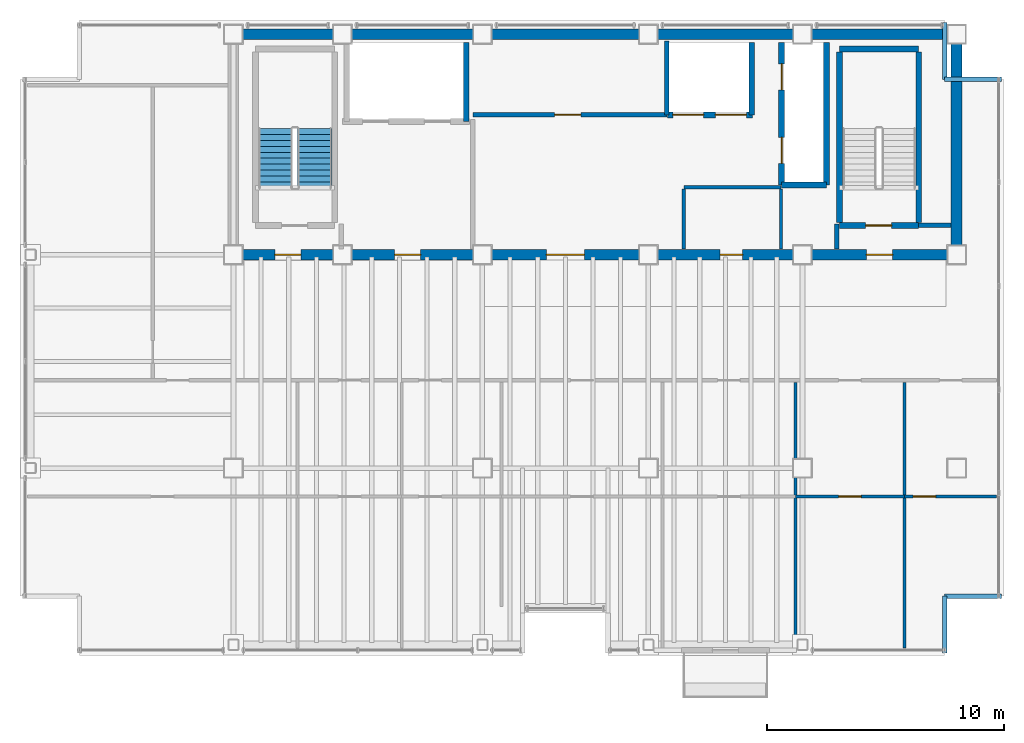
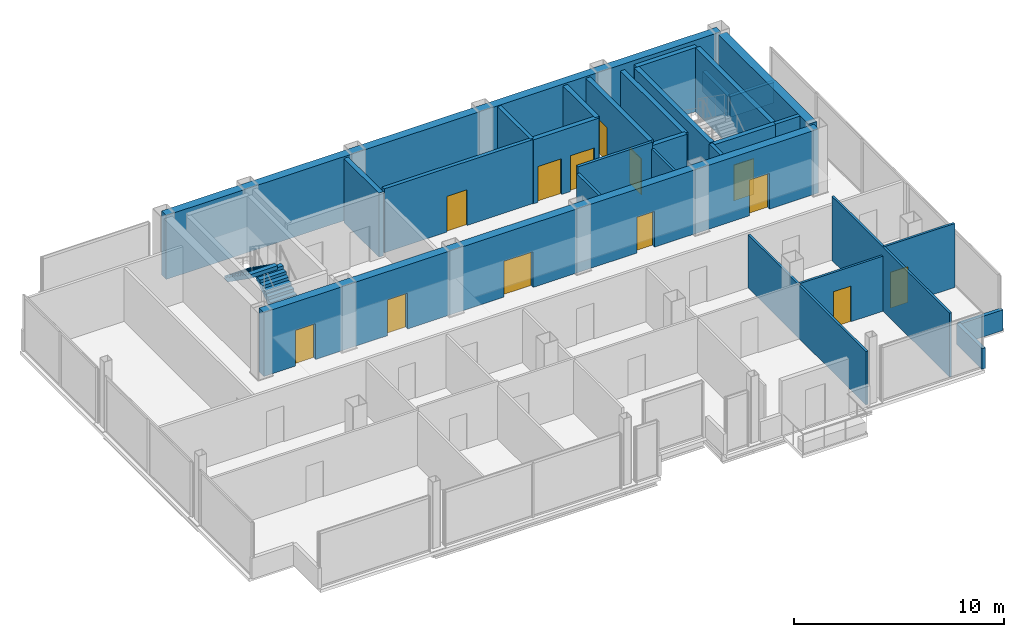
# One storey, part 15 of 17: 28 walls, 13 doors, 2 stair flights, 13 openings, 1 element without a shape of its own.
"""IFC4 building model written with IfcOpenShell, lengths in metres."""

from ifc_helpers import new_model, si_unit, direction, frame, frame_2d, origin, place, context, subcontext, project, spatial, polyline, rectangle, outline, extrude, material, layer, layer_set, type_object, element, fill, aggregate, save


model = new_model("IFC4")

# Units and contexts
model_context = context("Model", 3, precision=1e-05, world=origin(), true_north=direction((0.0, 1.0)))
body_context = subcontext(model_context, "Body", "Model", "MODEL_VIEW")
ifc_project = project(units=[si_unit("LENGTHUNIT", "METRE"), si_unit("AREAUNIT", "SQUARE_METRE"), si_unit("VOLUMEUNIT", "CUBIC_METRE"), si_unit("PLANEANGLEUNIT", "RADIAN"), si_unit("MASSUNIT", "GRAM", prefix="KILO")], contexts=[model_context])

# Site, building, storey
site_placement = place(None, origin())
site = spatial("IfcSite", under=ifc_project, at=site_placement, CompositionType="ELEMENT")
building_placement = place(site_placement, origin())
building = spatial("IfcBuilding", under=site, at=building_placement, Name="Noeulbin Bourse Tower", CompositionType="ELEMENT")
storey_placement = place(building_placement, frame((0.0, 0.0, 250.10009765625)))
storey = spatial("IfcBuildingStorey", under=building, at=storey_placement, Name="L62", CompositionType="ELEMENT", Elevation=250.10009765625)

# Wall, openings, doors
ifc_material_1 = material(Name="Concrete C50/60", Category="concrete")
ifc_layer_1 = layer(ifc_material_1, 0.449951171875)
ifc_layer_set_1 = layer_set([ifc_layer_1], Name="Concrete C50/60")
wall_type_1 = type_object("IfcWallType", Name="WAL-CORE-450", PredefinedType="SHEAR", material=ifc_layer_set_1)
wall_1_placement = place(storey_placement, frame((13.5, 29.0, 0.0), z_axis=(0.0, 0.0, 1.0), x_axis=(1.0, 0.0, 0.0)))
wall_1 = element("IfcWall", 1, at=wall_1_placement, inside=storey, type_object=wall_type_1, Name="Rear Core South Shear Wall L62", PredefinedType="SHEAR", context=body_context, shape_type="SweptSolid", body=[
    extrude(rectangle(XDim=30.5, YDim=0.449951171875, at=frame_2d((15.25, 0.0))), origin(), (0.0, 0.0, 1.0), 3.719970703125),
])
opening_1_placement = place(wall_1_placement, frame((1.75, 0.0, 0.0)))
opening_1 = element("IfcOpeningElement", 2, at=opening_1_placement, cuts=wall_1, Name="Opening FD-11", PredefinedType="OPENING", context=body_context, shape_type="SweptSolid", body=[
    extrude(rectangle(XDim=1.10009765625, YDim=2.080078125, at=frame_2d((0.550048828125, 1.0400390625))), frame((0.0, 0.23486328125, 0.0), z_axis=(0.0, -1.0, 0.0), x_axis=(1.0, 0.0, 0.0)), (0.0, 0.0, 1.0), 0.469970703125),
])
opening_2_placement = place(wall_1_placement, frame((26.699951171875, 0.0, 0.0)))
opening_2 = element("IfcOpeningElement", 3, at=opening_2_placement, cuts=wall_1, Name="Opening FD-11", PredefinedType="OPENING", context=body_context, shape_type="SweptSolid", body=[
    extrude(rectangle(XDim=1.10009765625, YDim=2.080078125, at=frame_2d((0.550048828125, 1.0400390625))), frame((0.0, 0.23486328125, 0.0), z_axis=(0.0, -1.0, 0.0), x_axis=(1.0, 0.0, 0.0)), (0.0, 0.0, 1.0), 0.469970703125),
])
opening_3_placement = place(wall_1_placement, frame((6.800048828125, 0.0, 0.0)))
opening_3 = element("IfcOpeningElement", 4, at=opening_3_placement, cuts=wall_1, Name="Opening FD-11", PredefinedType="OPENING", context=body_context, shape_type="SweptSolid", body=[
    extrude(rectangle(XDim=1.10009765625, YDim=2.080078125, at=frame_2d((0.550048828125, 1.0400390625))), frame((0.0, 0.23486328125, 0.0), z_axis=(0.0, -1.0, 0.0), x_axis=(1.0, 0.0, 0.0)), (0.0, 0.0, 1.0), 0.469970703125),
])
opening_4_placement = place(wall_1_placement, frame((13.199951171875, 0.0, 0.0)))
opening_4 = element("IfcOpeningElement", 5, at=opening_4_placement, cuts=wall_1, Name="Opening ID-16", PredefinedType="OPENING", context=body_context, shape_type="SweptSolid", body=[
    extrude(rectangle(XDim=1.60009765625, YDim=2.080078125, at=frame_2d((0.800048828125, 1.0400390625))), frame((0.0, 0.23486328125, 0.0), z_axis=(0.0, -1.0, 0.0), x_axis=(1.0, 0.0, 0.0)), (0.0, 0.0, 1.0), 0.469970703125),
])
opening_5_placement = place(wall_1_placement, frame((20.52490234375, 0.0, 0.0)))
opening_5 = element("IfcOpeningElement", 6, at=opening_5_placement, cuts=wall_1, Name="Opening ID-09", PredefinedType="OPENING", context=body_context, shape_type="SweptSolid", body=[
    extrude(rectangle(XDim=0.949951171875, YDim=2.080078125, at=frame_2d((0.47509765625, 1.0400390625))), frame((0.0, 0.23486328125, 0.0), z_axis=(0.0, -1.0, 0.0), x_axis=(1.0, 0.0, 0.0)), (0.0, 0.0, 1.0), 0.469970703125),
])
ifc_material_2 = material(Name="Acoustic Glazed Aluminium", Category="aluminium")
door_type_1 = type_object("IfcDoorType", Name="DR-DBL-1600", OperationType="DOUBLE_DOOR_SINGLE_SWING", PredefinedType="DOOR", material=ifc_material_2)
door_1_placement = place(opening_4_placement, origin())
door_1 = element("IfcDoor", 7, at=door_1_placement, inside=storey, type_object=door_type_1, Name="Passenger Lift Lobby Portal L62", OperationType="DOUBLE_DOOR_SINGLE_SWING", OverallHeight=2.080078125, OverallWidth=1.60009765625, PredefinedType="DOOR", context=body_context, shape_type="SweptSolid", body=[
    extrude(rectangle(XDim=1.60009765625, YDim=2.080078125, at=frame_2d((0.800048828125, 1.0400390625))), frame((0.0, 0.02490234375, 0.0), z_axis=(0.0, -1.0, 0.0), x_axis=(1.0, 0.0, 0.0)), (0.0, 0.0, 1.0), 0.050048828125),
])
fill(opening_4, door_1)
ifc_material_3 = material(Name="Fire-Rated Insulated Steel", Category="steel")
door_type_2 = type_object("IfcDoorType", Name="DR-FD60-1100", OperationType="SINGLE_SWING_LEFT", PredefinedType="DOOR", material=ifc_material_3)
door_2_placement = place(opening_1_placement, origin())
door_2 = element("IfcDoor", 8, at=door_2_placement, inside=storey, type_object=door_type_2, Name="West Stair Lobby Door L62", OperationType="SINGLE_SWING_LEFT", OverallHeight=2.080078125, OverallWidth=1.10009765625, PredefinedType="DOOR", context=body_context, shape_type="SweptSolid", body=[
    extrude(rectangle(XDim=1.10009765625, YDim=2.080078125, at=frame_2d((0.550048828125, 1.0400390625))), frame((0.0, 0.02490234375, 0.0), z_axis=(0.0, -1.0, 0.0), x_axis=(1.0, 0.0, 0.0)), (0.0, 0.0, 1.0), 0.050048828125),
])
fill(opening_1, door_2)
door_3_placement = place(opening_2_placement, origin())
door_3 = element("IfcDoor", 9, at=door_3_placement, inside=storey, type_object=door_type_2, Name="East Stair Lobby Door L62", OperationType="SINGLE_SWING_RIGHT", OverallHeight=2.080078125, OverallWidth=1.10009765625, PredefinedType="DOOR", context=body_context, shape_type="SweptSolid", body=[
    extrude(rectangle(XDim=1.10009765625, YDim=2.080078125, at=frame_2d((0.550048828125, 1.0400390625))), frame((0.0, 0.02490234375, 0.0), z_axis=(0.0, -1.0, 0.0), x_axis=(1.0, 0.0, 0.0)), (0.0, 0.0, 1.0), 0.050048828125),
])
fill(opening_2, door_3)
door_4_placement = place(opening_3_placement, origin())
door_4 = element("IfcDoor", 10, at=door_4_placement, inside=storey, type_object=door_type_2, Name="Firefighting Lobby Door L62", OperationType="SINGLE_SWING_LEFT", OverallHeight=2.080078125, OverallWidth=1.10009765625, PredefinedType="DOOR", context=body_context, shape_type="SweptSolid", body=[
    extrude(rectangle(XDim=1.10009765625, YDim=2.080078125, at=frame_2d((0.550048828125, 1.0400390625))), frame((0.0, 0.02490234375, 0.0), z_axis=(0.0, -1.0, 0.0), x_axis=(1.0, 0.0, 0.0)), (0.0, 0.0, 1.0), 0.050048828125),
])
fill(opening_3, door_4)
ifc_material_4 = material(Name="Acoustic Solid-Core Timber", Category="wood")
door_type_3 = type_object("IfcDoorType", Name="DR-SINGLE-950", OperationType="SINGLE_SWING_LEFT", PredefinedType="DOOR", material=ifc_material_4)
door_5_placement = place(opening_5_placement, origin())
door_5 = element("IfcDoor", 11, at=door_5_placement, inside=storey, type_object=door_type_3, Name="Interior Door L62-06", OperationType="SINGLE_SWING_RIGHT", OverallHeight=2.080078125, OverallWidth=0.949951171875, PredefinedType="DOOR", context=body_context, shape_type="SweptSolid", body=[
    extrude(rectangle(XDim=0.949951171875, YDim=2.080078125, at=frame_2d((0.47509765625, 1.0400390625))), frame((0.0, 0.02490234375, 0.0), z_axis=(0.0, -1.0, 0.0), x_axis=(1.0, 0.0, 0.0)), (0.0, 0.0, 1.0), 0.050048828125),
])
fill(opening_5, door_5)

# Walls
wall_2_placement = place(storey_placement, frame((13.5, 38.300048828125, 0.0), z_axis=(0.0, 0.0, 1.0), x_axis=(1.0, 0.0, 0.0)))
element("IfcWall", 12, at=wall_2_placement, inside=storey, type_object=wall_type_1, Name="Rear Core North Shear Wall L62", PredefinedType="SHEAR", context=body_context, shape_type="SweptSolid", body=[
    extrude(rectangle(XDim=30.5, YDim=0.449951171875, at=frame_2d((15.25, 0.0))), origin(), (0.0, 0.0, 1.0), 3.719970703125),
])
wall_3_placement = place(storey_placement, frame((44.0, 29.35009765625, 0.0), z_axis=(0.0, 0.0, 1.0), x_axis=(0.0, 1.0, 0.0)))
element("IfcWall", 13, at=wall_3_placement, inside=storey, type_object=wall_type_1, Name="Rear Core East Shear Wall L62", PredefinedType="SHEAR", context=body_context, shape_type="SweptSolid", body=[
    extrude(rectangle(XDim=8.599853515625, YDim=0.449951171875, at=frame_2d((4.2998046875, 0.0))), origin(), (0.0, 0.0, 1.0), 3.719970703125),
])
ifc_material_5 = material(Name="Concrete C40/50", Category="concrete")
ifc_layer_2 = layer(ifc_material_5, 0.199951171875)
ifc_layer_set_2 = layer_set([ifc_layer_2], Name="Concrete C40/50")
wall_type_2 = type_object("IfcWallType", Name="WAL-FIRE-200", PredefinedType="STANDARD", material=ifc_layer_set_2)
wall_4_placement = place(storey_placement, frame((42.39990234375, 30.239990234375, 0.0), z_axis=(0.0, 0.0, 1.0), x_axis=(1.0, 0.0, 0.0)))
element("IfcWall", 14, at=wall_4_placement, inside=storey, type_object=wall_type_2, Name="Interior Partition Wall L62-01", PredefinedType="STANDARD", context=body_context, shape_type="SweptSolid", body=[
    extrude(rectangle(XDim=1.364990234375, YDim=0.199951171875, at=frame_2d((0.6826171875, 0.0))), origin(), (0.0, 0.0, 1.0), 3.719970703125),
])

# Wall, opening, door
wall_5_placement = place(storey_placement, frame((23.60009765625, 34.89990234375, 0.0), z_axis=(0.0, 0.0, 1.0), x_axis=(1.0, 0.0, 0.0)))
wall_5 = element("IfcWall", 15, at=wall_5_placement, inside=storey, type_object=wall_type_2, Name="Interior Partition Wall L62-02", PredefinedType="STANDARD", context=body_context, shape_type="SweptSolid", body=[
    extrude(rectangle(XDim=8.179931640625, YDim=0.199951171875, at=frame_2d((4.08984375, 0.0))), origin(), (0.0, 0.0, 1.0), 3.719970703125),
])
opening_6_placement = place(wall_5_placement, frame((3.449951171875, 0.0, 0.0)))
opening_6 = element("IfcOpeningElement", 16, at=opening_6_placement, cuts=wall_5, Name="Opening FD-11", PredefinedType="OPENING", context=body_context, shape_type="SweptSolid", body=[
    extrude(rectangle(XDim=1.10009765625, YDim=2.080078125, at=frame_2d((0.550048828125, 1.0400390625))), frame((0.0, 0.10986328125, 0.0), z_axis=(0.0, -1.0, 0.0), x_axis=(1.0, 0.0, 0.0)), (0.0, 0.0, 1.0), 0.219970703125),
])
door_6_placement = place(opening_6_placement, origin())
door_6 = element("IfcDoor", 17, at=door_6_placement, inside=storey, type_object=door_type_2, Name="Telemetry Server Door L62", OperationType="SINGLE_SWING_LEFT", OverallHeight=2.080078125, OverallWidth=1.10009765625, PredefinedType="DOOR", context=body_context, shape_type="SweptSolid", body=[
    extrude(rectangle(XDim=1.10009765625, YDim=2.080078125, at=frame_2d((0.550048828125, 1.0400390625))), frame((0.0, 0.02490234375, 0.0), z_axis=(0.0, -1.0, 0.0), x_axis=(1.0, 0.0, 0.0)), (0.0, 0.0, 1.0), 0.050048828125),
])
fill(opening_6, door_6)

# Walls
wall_6_placement = place(storey_placement, frame((38.949951171875, 29.235107421875, 0.0), z_axis=(0.0, 0.0, 1.0), x_axis=(0.0, 1.0, 0.0)))
element("IfcWall", 18, at=wall_6_placement, inside=storey, type_object=wall_type_2, Name="Interior Partition Wall L62-14", PredefinedType="STANDARD", context=body_context, shape_type="SweptSolid", body=[
    extrude(rectangle(XDim=1.06494140625, YDim=0.199951171875, at=frame_2d((0.532470703125, 0.0))), origin(), (0.0, 0.0, 1.0), 3.719970703125),
])
ifc_layer_3 = layer(ifc_material_5, 0.199951171875)
ifc_layer_set_3 = layer_set([ifc_layer_3], Name="Concrete C40/50")
wall_type_3 = type_object("IfcWallType", Name="WAL-PAR-200", PredefinedType="PARAPET", material=ifc_layer_set_3)
wall_7_placement = place(storey_placement, frame((43.5, 12.199951171875, 0.0), z_axis=(0.0, 0.0, 1.0), x_axis=(0.0, 1.0, 0.0)))
element("IfcWall", 19, at=wall_7_placement, inside=storey, type_object=wall_type_3, Name="Corner Notch Parapet L62-SE1", PredefinedType="PARAPET", context=body_context, shape_type="SweptSolid", body=[
    extrude(rectangle(XDim=2.400146484375, YDim=0.199951171875, at=frame_2d((1.2001953125, 0.0))), origin(), (0.0, 0.0, 1.0), 1.199951171875),
])
wall_8_placement = place(storey_placement, frame((43.5, 14.60009765625, 0.0), z_axis=(0.0, 0.0, 1.0), x_axis=(1.0, 0.0, 0.0)))
element("IfcWall", 20, at=wall_8_placement, inside=storey, type_object=wall_type_3, Name="Corner Notch Parapet L62-SE2", PredefinedType="PARAPET", context=body_context, shape_type="SweptSolid", body=[
    extrude(rectangle(XDim=2.39990234375, YDim=0.199951171875, at=frame_2d((1.199951171875, 0.0))), origin(), (0.0, 0.0, 1.0), 1.199951171875),
])
wall_9_placement = place(storey_placement, frame((43.5, 38.800048828125, 0.0), z_axis=(0.0, 0.0, 1.0), x_axis=(0.0, -1.0, 0.0)))
element("IfcWall", 21, at=wall_9_placement, inside=storey, type_object=wall_type_3, Name="Corner Notch Parapet L62-NE1", PredefinedType="PARAPET", context=body_context, shape_type="SweptSolid", body=[
    extrude(rectangle(XDim=2.400146484375, YDim=0.199951171875, at=frame_2d((1.2001953125, 0.0))), origin(), (0.0, 0.0, 1.0), 1.199951171875),
])
wall_10_placement = place(storey_placement, frame((43.5, 36.39990234375, 0.0), z_axis=(0.0, 0.0, 1.0), x_axis=(1.0, 0.0, 0.0)))
element("IfcWall", 22, at=wall_10_placement, inside=storey, type_object=wall_type_3, Name="Corner Notch Parapet L62-NE2", PredefinedType="PARAPET", context=body_context, shape_type="SweptSolid", body=[
    extrude(rectangle(XDim=2.39990234375, YDim=0.199951171875, at=frame_2d((1.199951171875, 0.0))), origin(), (0.0, 0.0, 1.0), 1.199951171875),
])

# Wall, opening, door
ifc_material_6 = material(Name="Steel Stud Gypsum Partition", Category="steel")
ifc_layer_4 = layer(ifc_material_6, 0.1201171875)
ifc_layer_set_4 = layer_set([ifc_layer_4], Name="Steel Stud Gypsum Partition")
wall_type_4 = type_object("IfcWallType", Name="WAL-PRT-120", PredefinedType="PARTITIONING", material=ifc_layer_set_4)
wall_11_placement = place(storey_placement, frame((37.199951171875, 18.800048828125, 0.0), z_axis=(0.0, 0.0, 1.0), x_axis=(1.0, 0.0, 0.0)))
wall_11 = element("IfcWall", 23, at=wall_11_placement, inside=storey, type_object=wall_type_4, Name="Interior Partition Wall L62-11", PredefinedType="PARTITIONING", context=body_context, shape_type="SweptSolid", body=[
    extrude(rectangle(XDim=4.60009765625, YDim=0.1201171875, at=frame_2d((2.300048828125, 0.0))), origin(), (0.0, 0.0, 1.0), 3.199951171875),
])
opening_7_placement = place(wall_11_placement, frame((1.824951171875, 0.0, 0.0)))
opening_7 = element("IfcOpeningElement", 24, at=opening_7_placement, cuts=wall_11, Name="Opening ID-09", PredefinedType="OPENING", context=body_context, shape_type="SweptSolid", body=[
    extrude(rectangle(XDim=0.949951171875, YDim=2.080078125, at=frame_2d((0.47509765625, 1.0400390625))), frame((0.0, 0.070068359375, 0.0), z_axis=(0.0, -1.0, 0.0), x_axis=(1.0, 0.0, 0.0)), (0.0, 0.0, 1.0), 0.14013671875),
])
door_7_placement = place(opening_7_placement, origin())
door_7 = element("IfcDoor", 25, at=door_7_placement, inside=storey, type_object=door_type_3, Name="Interior Door L62-17", OperationType="SINGLE_SWING_LEFT", OverallHeight=2.080078125, OverallWidth=0.949951171875, PredefinedType="DOOR", context=body_context, shape_type="SweptSolid", body=[
    extrude(rectangle(XDim=0.949951171875, YDim=2.080078125, at=frame_2d((0.47509765625, 1.0400390625))), frame((0.0, 0.02490234375, 0.0), z_axis=(0.0, -1.0, 0.0), x_axis=(1.0, 0.0, 0.0)), (0.0, 0.0, 1.0), 0.050048828125),
])
fill(opening_7, door_7)

wall_12_placement = place(storey_placement, frame((41.800048828125, 18.800048828125, 0.0), z_axis=(0.0, 0.0, 1.0), x_axis=(1.0, 0.0, 0.0)))
wall_12 = element("IfcWall", 26, at=wall_12_placement, inside=storey, type_object=wall_type_4, Name="Interior Partition Wall L62-12", PredefinedType="PARTITIONING", context=body_context, shape_type="SweptSolid", body=[
    extrude(rectangle(XDim=3.889892578125, YDim=0.1201171875, at=frame_2d((1.94482421875, 0.0))), origin(), (0.0, 0.0, 1.0), 3.719970703125),
])
opening_8_placement = place(wall_12_placement, frame((0.3701171875, 0.0, 0.0)))
opening_8 = element("IfcOpeningElement", 27, at=opening_8_placement, cuts=wall_12, Name="Opening ID-09", PredefinedType="OPENING", context=body_context, shape_type="SweptSolid", body=[
    extrude(rectangle(XDim=0.949951171875, YDim=2.080078125, at=frame_2d((0.47509765625, 1.0400390625))), frame((0.0, 0.070068359375, 0.0), z_axis=(0.0, -1.0, 0.0), x_axis=(1.0, 0.0, 0.0)), (0.0, 0.0, 1.0), 0.14013671875),
])
door_8_placement = place(opening_8_placement, origin())
door_8 = element("IfcDoor", 28, at=door_8_placement, inside=storey, type_object=door_type_3, Name="Interior Door L62-19", OperationType="SINGLE_SWING_LEFT", OverallHeight=2.080078125, OverallWidth=0.949951171875, PredefinedType="DOOR", context=body_context, shape_type="SweptSolid", body=[
    extrude(rectangle(XDim=0.949951171875, YDim=2.080078125, at=frame_2d((0.47509765625, 1.0400390625))), frame((0.0, 0.02490234375, 0.0), z_axis=(0.0, -1.0, 0.0), x_axis=(1.0, 0.0, 0.0)), (0.0, 0.0, 1.0), 0.050048828125),
])
fill(opening_8, door_8)

# Walls
wall_13_placement = place(storey_placement, frame((36.60009765625, 29.235107421875, 0.0), z_axis=(0.0, 0.0, 1.0), x_axis=(0.0, 1.0, 0.0)))
element("IfcWall", 29, at=wall_13_placement, inside=storey, type_object=wall_type_4, Name="Interior Partition Wall L62-17", PredefinedType="PARTITIONING", context=body_context, shape_type="SweptSolid", body=[
    extrude(rectangle(XDim=2.52978515625, YDim=0.1201171875, at=frame_2d((1.264892578125, 0.0))), origin(), (0.0, 0.0, 1.0), 3.349853515625),
])
wall_14_placement = place(storey_placement, frame((37.199951171875, 12.409912109375, 0.0), z_axis=(0.0, 0.0, 1.0), x_axis=(0.0, 1.0, 0.0)))
element("IfcWall", 30, at=wall_14_placement, inside=storey, type_object=wall_type_4, Name="Interior Partition Wall L62-23", PredefinedType="PARTITIONING", context=body_context, shape_type="SweptSolid", body=[
    extrude(rectangle(XDim=11.205078125, YDim=0.1201171875, at=frame_2d((5.6025390625, 0.0))), origin(), (0.0, 0.0, 1.0), 3.099853515625),
])
wall_15_placement = place(storey_placement, frame((41.800048828125, 12.409912109375, 0.0), z_axis=(0.0, 0.0, 1.0), x_axis=(0.0, 1.0, 0.0)))
element("IfcWall", 31, at=wall_15_placement, inside=storey, type_object=wall_type_4, Name="Interior Partition Wall L62-24", PredefinedType="PARTITIONING", context=body_context, shape_type="SweptSolid", body=[
    extrude(rectangle(XDim=11.205078125, YDim=0.1201171875, at=frame_2d((5.6025390625, 0.0))), origin(), (0.0, 0.0, 1.0), 3.719970703125),
])
ifc_material_7 = material(Name="Steel Stud Acoustic Gypsum Board", Category="steel")
ifc_layer_5 = layer(ifc_material_7, 0.14990234375)
ifc_layer_set_5 = layer_set([ifc_layer_5], Name="Steel Stud Acoustic Gypsum Board")
wall_type_5 = type_object("IfcWallType", Name="WAL-PRT-150", PredefinedType="PARTITIONING", material=ifc_layer_set_5)
wall_16_placement = place(storey_placement, frame((32.5, 31.85009765625, 0.0), z_axis=(0.0, 0.0, 1.0), x_axis=(1.0, 0.0, 0.0)))
element("IfcWall", 32, at=wall_16_placement, inside=storey, type_object=wall_type_5, Name="Interior Partition Wall L62-03", PredefinedType="PARTITIONING", context=body_context, shape_type="SweptSolid", body=[
    extrude(rectangle(XDim=4.10009765625, YDim=0.14990234375, at=frame_2d((2.050048828125, 0.0))), origin(), (0.0, 0.0, 1.0), 3.719970703125),
])
wall_17_placement = place(storey_placement, frame((32.5, 29.235107421875, 0.0), z_axis=(0.0, 0.0, 1.0), x_axis=(0.0, 1.0, 0.0)))
element("IfcWall", 33, at=wall_17_placement, inside=storey, type_object=wall_type_5, Name="Interior Partition Wall L62-16", PredefinedType="PARTITIONING", context=body_context, shape_type="SweptSolid", body=[
    extrude(rectangle(XDim=2.52978515625, YDim=0.14990234375, at=frame_2d((1.264892578125, 0.0))), origin(), (0.0, 0.0, 1.0), 3.349853515625),
])

# Wall, opening, door
ifc_layer_6 = layer(ifc_material_5, 0.25)
ifc_layer_set_6 = layer_set([ifc_layer_6], Name="Concrete C40/50")
wall_type_6 = type_object("IfcWallType", Name="WAL-SHFT-250", PredefinedType="STANDARD", material=ifc_layer_set_6)
wall_18_placement = place(storey_placement, frame((39.06005859375, 30.235107421875, 0.0), z_axis=(0.0, 0.0, 1.0), x_axis=(1.0, 0.0, 0.0)))
wall_18 = element("IfcWall", 34, at=wall_18_placement, inside=storey, type_object=wall_type_6, Name="Stair ST-2 South Shaft Wall L62", PredefinedType="STANDARD", context=body_context, shape_type="SweptSolid", body=[
    extrude(rectangle(XDim=3.33984375, YDim=0.25, at=frame_2d((1.669921875, 0.0))), origin(), (0.0, 0.0, 1.0), 3.719970703125),
])
opening_9_placement = place(wall_18_placement, frame((1.10009765625, 0.0, 0.0)))
opening_9 = element("IfcOpeningElement", 35, at=opening_9_placement, cuts=wall_18, Name="Opening FD-11", PredefinedType="OPENING", context=body_context, shape_type="SweptSolid", body=[
    extrude(rectangle(XDim=1.10009765625, YDim=2.080078125, at=frame_2d((0.550048828125, 1.0400390625))), frame((0.0, 0.135009765625, 0.0), z_axis=(0.0, -1.0, 0.0), x_axis=(1.0, 0.0, 0.0)), (0.0, 0.0, 1.0), 0.27001953125),
])
door_9_placement = place(opening_9_placement, origin())
door_9 = element("IfcDoor", 36, at=door_9_placement, inside=storey, type_object=door_type_2, Name="Protected Stair Entry Door ST2-L62", OperationType="SINGLE_SWING_RIGHT", OverallHeight=2.080078125, OverallWidth=1.10009765625, PredefinedType="DOOR", context=body_context, shape_type="SweptSolid", body=[
    extrude(rectangle(XDim=1.10009765625, YDim=2.080078125, at=frame_2d((0.550048828125, 1.0400390625))), frame((0.0, 0.02490234375, 0.0), z_axis=(0.0, -1.0, 0.0), x_axis=(1.0, 0.0, 0.0)), (0.0, 0.0, 1.0), 0.050048828125),
])
fill(opening_9, door_9)

# Walls
wall_19_placement = place(storey_placement, frame((39.06005859375, 37.6689453125, 0.0), z_axis=(0.0, 0.0, 1.0), x_axis=(1.0, 0.0, 0.0)))
element("IfcWall", 37, at=wall_19_placement, inside=storey, type_object=wall_type_6, Name="Stair ST-2 North Shaft Wall L62", PredefinedType="STANDARD", context=body_context, shape_type="SweptSolid", body=[
    extrude(rectangle(XDim=3.33984375, YDim=0.25, at=frame_2d((1.669921875, 0.0))), origin(), (0.0, 0.0, 1.0), 3.719970703125),
])
for number, where, z_axis, x_axis, name in (
    (38, (39.054931640625, 30.360107421875, 0.0), (0.0, 0.0, 1.0), (0.0, 1.0, 0.0), "Stair ST-2 West Shaft Wall L62"),
    (39, (42.405029296875, 30.360107421875, 0.0), (0.0, 0.0, 1.0), (0.0, 1.0, 0.0), "Stair ST-2 East Shaft Wall L62"),
):
    element("IfcWall", number, at=place(storey_placement, frame(where, z_axis=z_axis, x_axis=x_axis)), inside=storey, type_object=wall_type_6, Name=name, PredefinedType="STANDARD", context=body_context, shape_type="SweptSolid", body=[
        extrude(rectangle(XDim=7.183837890625, YDim=0.25, at=frame_2d((3.591796875, 0.0))), origin(), (0.0, 0.0, 1.0), 3.719970703125),
    ])

# Wall, openings, doors
wall_20_placement = place(storey_placement, frame((36.6201171875, 31.949951171875, 0.0), z_axis=(0.0, 0.0, 1.0), x_axis=(0.0, 1.0, 0.0)))
wall_20 = element("IfcWall", 40, at=wall_20_placement, inside=storey, type_object=wall_type_6, Name="Service Lift Shaft Wall L62", PredefinedType="STANDARD", context=body_context, shape_type="SweptSolid", body=[
    extrude(rectangle(XDim=6.0, YDim=0.25, at=frame_2d((3.0, 0.0))), origin(), (0.0, 0.0, 1.0), 3.719970703125),
])
opening_10_placement = place(wall_20_placement, frame((0.89990234375, 0.0, 0.0)))
opening_10 = element("IfcOpeningElement", 41, at=opening_10_placement, cuts=wall_20, Name="Opening LD-11", PredefinedType="OPENING", context=body_context, shape_type="SweptSolid", body=[
    extrude(rectangle(XDim=1.10009765625, YDim=2.080078125, at=frame_2d((0.550048828125, 1.0400390625))), frame((0.0, 0.135009765625, 0.0), z_axis=(0.0, -1.0, 0.0), x_axis=(1.0, 0.0, 0.0)), (0.0, 0.0, 1.0), 0.27001953125),
])
opening_11_placement = place(wall_20_placement, frame((4.0, 0.0, 0.0)))
opening_11 = element("IfcOpeningElement", 42, at=opening_11_placement, cuts=wall_20, Name="Opening LD-11", PredefinedType="OPENING", context=body_context, shape_type="SweptSolid", body=[
    extrude(rectangle(XDim=1.10009765625, YDim=2.080078125, at=frame_2d((0.550048828125, 1.0400390625))), frame((0.0, 0.135009765625, 0.0), z_axis=(0.0, -1.0, 0.0), x_axis=(1.0, 0.0, 0.0)), (0.0, 0.0, 1.0), 0.27001953125),
])
ifc_material_8 = material(Name="Brushed Stainless Steel 316", Category="steel")
door_type_4 = type_object("IfcDoorType", Name="DR-LIFT-1100", OperationType="SLIDING_TO_LEFT", PredefinedType="DOOR", material=ifc_material_8)
door_10_placement = place(opening_10_placement, origin())
door_10 = element("IfcDoor", 43, at=door_10_placement, inside=storey, type_object=door_type_4, Name="Lift Landing Door LD-EL-01-L62", OperationType="SLIDING_TO_LEFT", OverallHeight=2.080078125, OverallWidth=1.10009765625, PredefinedType="DOOR", context=body_context, shape_type="SweptSolid", body=[
    extrude(rectangle(XDim=1.10009765625, YDim=2.080078125, at=frame_2d((0.550048828125, 1.0400390625))), frame((0.0, 0.02490234375, 0.0), z_axis=(0.0, -1.0, 0.0), x_axis=(1.0, 0.0, 0.0)), (0.0, 0.0, 1.0), 0.050048828125),
])
fill(opening_10, door_10)
door_11_placement = place(opening_11_placement, origin())
door_11 = element("IfcDoor", 44, at=door_11_placement, inside=storey, type_object=door_type_4, Name="Lift Landing Door LD-SV-01-L62", OperationType="SLIDING_TO_LEFT", OverallHeight=2.080078125, OverallWidth=1.10009765625, PredefinedType="DOOR", context=body_context, shape_type="SweptSolid", body=[
    extrude(rectangle(XDim=1.10009765625, YDim=2.080078125, at=frame_2d((0.550048828125, 1.0400390625))), frame((0.0, 0.02490234375, 0.0), z_axis=(0.0, -1.0, 0.0), x_axis=(1.0, 0.0, 0.0)), (0.0, 0.0, 1.0), 0.050048828125),
])
fill(opening_11, door_11)

# Walls
wall_21_placement = place(storey_placement, frame((38.52001953125, 31.949951171875, 0.0), z_axis=(0.0, 0.0, 1.0), x_axis=(0.0, 1.0, 0.0)))
element("IfcWall", 45, at=wall_21_placement, inside=storey, type_object=wall_type_6, Name="Service Lift East Shaft Wall L62", PredefinedType="STANDARD", context=body_context, shape_type="SweptSolid", body=[
    extrude(rectangle(XDim=6.0, YDim=0.25, at=frame_2d((3.0, 0.0))), origin(), (0.0, 0.0, 1.0), 3.47998046875),
])
wall_22_placement = place(storey_placement, frame((36.6201171875, 31.949951171875, 0.0), z_axis=(0.0, 0.0, 1.0), x_axis=(1.0, 0.0, 0.0)))
element("IfcWall", 46, at=wall_22_placement, inside=storey, type_object=wall_type_6, Name="Service Lift South Shaft Wall L62", PredefinedType="STANDARD", context=body_context, shape_type="SweptSolid", body=[
    extrude(rectangle(XDim=1.89990234375, YDim=0.25, at=frame_2d((0.949951171875, 0.0))), origin(), (0.0, 0.0, 1.0), 3.47998046875),
])
wall_23_placement = place(storey_placement, frame((23.320068359375, 34.6201171875, 0.0), z_axis=(0.0, 0.0, 1.0), x_axis=(0.0, 1.0, 0.0)))
element("IfcWall", 47, at=wall_23_placement, inside=storey, type_object=wall_type_6, Name="Firefighting Lift East Shaft Wall L62", PredefinedType="STANDARD", context=body_context, shape_type="SweptSolid", body=[
    extrude(rectangle(XDim=3.329833984375, YDim=0.25, at=frame_2d((1.6650390625, 0.0))), origin(), (0.0, 0.0, 1.0), 3.719970703125),
])
wall_24_placement = place(storey_placement, frame((35.360107421875, 34.89990234375, 0.0), z_axis=(0.0, 0.0, 1.0), x_axis=(0.0, 1.0, 0.0)))
element("IfcWall", 48, at=wall_24_placement, inside=storey, type_object=wall_type_6, Name="High-Rise Lift East Shaft Wall L62", PredefinedType="STANDARD", context=body_context, shape_type="SweptSolid", body=[
    extrude(rectangle(XDim=3.050048828125, YDim=0.25, at=frame_2d((1.52490234375, 0.0))), origin(), (0.0, 0.0, 1.0), 3.719970703125),
])

# Wall, openings, doors
wall_25_placement = place(storey_placement, frame((31.800048828125, 34.89990234375, 0.0), z_axis=(0.0, 0.0, 1.0), x_axis=(1.0, 0.0, 0.0)))
wall_25 = element("IfcWall", 49, at=wall_25_placement, inside=storey, type_object=wall_type_6, Name="High-Rise Lift Bank Front L62", PredefinedType="STANDARD", context=body_context, shape_type="SweptSolid", body=[
    extrude(rectangle(XDim=3.599853515625, YDim=0.25, at=frame_2d((1.7998046875, 0.0))), origin(), (0.0, 0.0, 1.0), 3.719970703125),
])
opening_12_placement = place(wall_25_placement, frame((0.22998046875, 0.0, 0.0)))
opening_12 = element("IfcOpeningElement", 50, at=opening_12_placement, cuts=wall_25, Name="Opening LD-13", PredefinedType="OPENING", context=body_context, shape_type="SweptSolid", body=[
    extrude(rectangle(XDim=1.300048828125, YDim=2.080078125, at=frame_2d((0.64990234375, 1.0400390625))), frame((0.0, 0.135009765625, 0.0), z_axis=(0.0, -1.0, 0.0), x_axis=(1.0, 0.0, 0.0)), (0.0, 0.0, 1.0), 0.27001953125),
])
opening_13_placement = place(wall_25_placement, frame((2.030029296875, 0.0, 0.0)))
opening_13 = element("IfcOpeningElement", 51, at=opening_13_placement, cuts=wall_25, Name="Opening LD-13", PredefinedType="OPENING", context=body_context, shape_type="SweptSolid", body=[
    extrude(rectangle(XDim=1.300048828125, YDim=2.080078125, at=frame_2d((0.64990234375, 1.0400390625))), frame((0.0, 0.135009765625, 0.0), z_axis=(0.0, -1.0, 0.0), x_axis=(1.0, 0.0, 0.0)), (0.0, 0.0, 1.0), 0.27001953125),
])
door_type_5 = type_object("IfcDoorType", Name="DR-LIFT-1300", OperationType="DOUBLE_DOOR_SLIDING", PredefinedType="DOOR", material=ifc_material_8)
door_12_placement = place(opening_12_placement, origin())
door_12 = element("IfcDoor", 52, at=door_12_placement, inside=storey, type_object=door_type_5, Name="Lift Landing Door LD-PL-H1-L62", OperationType="DOUBLE_DOOR_SLIDING", OverallHeight=2.080078125, OverallWidth=1.300048828125, PredefinedType="DOOR", context=body_context, shape_type="SweptSolid", body=[
    extrude(rectangle(XDim=1.300048828125, YDim=2.080078125, at=frame_2d((0.64990234375, 1.0400390625))), frame((0.0, 0.02490234375, 0.0), z_axis=(0.0, -1.0, 0.0), x_axis=(1.0, 0.0, 0.0)), (0.0, 0.0, 1.0), 0.050048828125),
])
fill(opening_12, door_12)
door_13_placement = place(opening_13_placement, origin())
door_13 = element("IfcDoor", 53, at=door_13_placement, inside=storey, type_object=door_type_5, Name="Lift Landing Door LD-PL-H2-L62", OperationType="DOUBLE_DOOR_SLIDING", OverallHeight=2.080078125, OverallWidth=1.300048828125, PredefinedType="DOOR", context=body_context, shape_type="SweptSolid", body=[
    extrude(rectangle(XDim=1.300048828125, YDim=2.080078125, at=frame_2d((0.64990234375, 1.0400390625))), frame((0.0, 0.02490234375, 0.0), z_axis=(0.0, -1.0, 0.0), x_axis=(1.0, 0.0, 0.0)), (0.0, 0.0, 1.0), 0.050048828125),
])
fill(opening_13, door_13)

# Wall
wall_26_placement = place(storey_placement, frame((31.780029296875, 34.89990234375, 0.0), z_axis=(0.0, 0.0, 1.0), x_axis=(0.0, 1.0, 0.0)))
element("IfcWall", 54, at=wall_26_placement, inside=storey, type_object=wall_type_6, Name="Hoistway Side Shaft Wall L62-PLHW", PredefinedType="STANDARD", context=body_context, shape_type="SweptSolid", body=[
    extrude(rectangle(XDim=3.1201171875, YDim=0.199951171875, at=frame_2d((1.56005859375, 0.0))), origin(), (0.0, 0.0, 1.0), 3.719970703125),
])

# Stair, stair flights
stair_type = type_object("IfcStairType", Name="STR-CORE-1560", PredefinedType="HALF_TURN_STAIR", material=ifc_material_5)
stair_placement = place(storey_placement, origin())
stair = element("IfcStair", 55, at=stair_placement, inside=storey, type_object=stair_type, Name="L62 ST-1", PredefinedType="HALF_TURN_STAIR")
stair_flight_type = type_object("IfcStairFlightType", Name="SFL-CORE-1560", PredefinedType="STRAIGHT", material=ifc_material_5)
stair_flight_1_placement = place(storey_placement, frame((16.925048828125, 31.81005859375, 0.0), z_axis=(0.0, 0.0, 1.0), x_axis=(0.0, 1.0, 0.0)))
stair_flight_1 = element("IfcStairFlight", 56, at=stair_flight_1_placement, type_object=stair_flight_type, Name="ST-1 flight 1", NumberOfRisers=11, NumberOfTreads=10, PredefinedType="STRAIGHT", RiserHeight=0.177272727, TreadLength=0.252, context=body_context, shape_type="SweptSolid", body=[
    extrude(outline(polyline([(0.0, 0.0), (0.0, 0.17724609375), (0.251953125, 0.17724609375), (0.251953125, 0.3544921875), (0.50390625, 0.3544921875), (0.50390625, 0.53173828125), (0.756103515625, 0.53173828125), (0.756103515625, 0.708984375), (1.008056640625, 0.708984375), (1.008056640625, 0.886474609375), (1.260009765625, 0.886474609375), (1.260009765625, 1.063720703125), (1.511962890625, 1.063720703125), (1.511962890625, 1.240966796875), (1.763916015625, 1.240966796875), (1.763916015625, 1.418212890625), (2.01611328125, 1.418212890625), (2.01611328125, 1.595458984375), (2.26806640625, 1.595458984375), (2.26806640625, 1.772705078125), (2.52001953125, 1.772705078125), (2.52001953125, 1.949951171875), (2.52001953125, 1.552734375), (0.312744140625, 0.0), (0.0, 0.0)])), frame((0.0, 0.72509765625, 0.0), z_axis=(0.0, -1.0, 0.0), x_axis=(1.0, 0.0, 0.0)), (0.0, 0.0, 1.0), 1.449951171875),
])
stair_flight_2_placement = place(storey_placement, frame((15.27490234375, 34.330078125, 1.949951171875), z_axis=(0.0, 0.0, 1.0), x_axis=(0.0, -1.0, 0.0)))
stair_flight_2 = element("IfcStairFlight", 57, at=stair_flight_2_placement, type_object=stair_flight_type, Name="ST-1 flight 2", NumberOfRisers=11, NumberOfTreads=10, PredefinedType="STRAIGHT", RiserHeight=0.177272727, TreadLength=0.252, context=body_context, shape_type="SweptSolid", body=[
    extrude(outline(polyline([(0.0, 0.0), (0.0, 0.17724609375), (0.251953125, 0.17724609375), (0.251953125, 0.3544921875), (0.50390625, 0.3544921875), (0.50390625, 0.53173828125), (0.756103515625, 0.53173828125), (0.756103515625, 0.708984375), (1.008056640625, 0.708984375), (1.008056640625, 0.886474609375), (1.260009765625, 0.886474609375), (1.260009765625, 1.063720703125), (1.511962890625, 1.063720703125), (1.511962890625, 1.240966796875), (1.763916015625, 1.240966796875), (1.763916015625, 1.418212890625), (2.01611328125, 1.418212890625), (2.01611328125, 1.595458984375), (2.26806640625, 1.595458984375), (2.26806640625, 1.772705078125), (2.52001953125, 1.772705078125), (2.52001953125, 1.949951171875), (2.52001953125, 1.552734375), (0.312744140625, 0.0), (0.0, 0.0)])), frame((0.0, 0.72509765625, 0.0), z_axis=(0.0, -1.0, 0.0), x_axis=(1.0, 0.0, 0.0)), (0.0, 0.0, 1.0), 1.449951171875),
])
aggregate(stair, [stair_flight_1, stair_flight_2])

save(model, "model.ifc")
